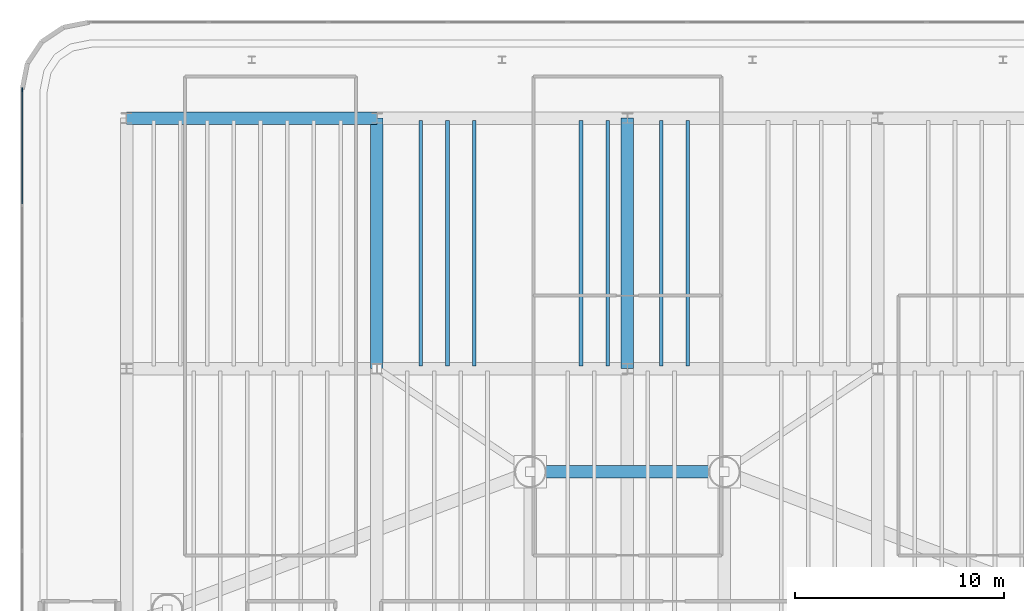
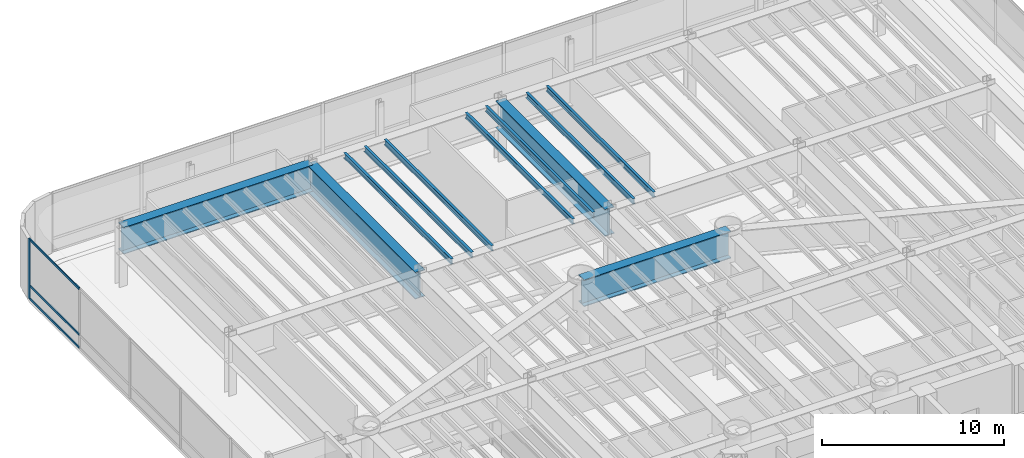
# One storey, part 8 of 18: 11 beams, 4 members, 1 element without a shape of its own.
"""IFC4 building model written with IfcOpenShell, lengths in metres."""

from ifc_helpers import new_model, si_unit, direction, frame, origin, origin_2d, place, context, subcontext, project, spatial, rectangle, i_section, extrude, source, transform, mapped, material, layer, layer_set, material_profile, profile_set, type_object, element, aggregate, save


model = new_model("IFC4")

# Units and contexts
model_context = context("Model", 3, precision=1e-05, world=origin(), true_north=direction((0.0, 1.0)))
body_context = subcontext(model_context, "Body", "Model", "MODEL_VIEW")
ifc_project = project(units=[si_unit("LENGTHUNIT", "METRE"), si_unit("AREAUNIT", "SQUARE_METRE"), si_unit("VOLUMEUNIT", "CUBIC_METRE"), si_unit("PLANEANGLEUNIT", "RADIAN"), si_unit("MASSUNIT", "GRAM", prefix="KILO")], contexts=[model_context])

# Site, building, storey
site_placement = place(None, origin())
site = spatial("IfcSite", under=ifc_project, at=site_placement, CompositionType="ELEMENT")
building_placement = place(site_placement, origin())
building = spatial("IfcBuilding", under=site, at=building_placement, Name="Brelvock Crest Care Tower", CompositionType="ELEMENT")
storey_placement = place(building_placement, frame((0.0, 0.0, 22.679931640625)))
storey = spatial("IfcBuildingStorey", under=building, at=storey_placement, Name="L05", CompositionType="ELEMENT", Elevation=22.679931640625)

# Beams
ifc_material_1 = material(Name="Steel Grade 350", Category="steel")
ifc_material_profile_1 = material_profile(ifc_material_1, i_section(OverallWidth=0.172119140625, OverallDepth=0.35888671875, WebThickness=0.008056640625, FlangeThickness=0.012939453125, FilletRadius=0.011474609375, at=origin_2d()), Name="360UB56.7")
ifc_profile_set_1 = profile_set([ifc_material_profile_1], Name="Steel Grade 350")
beam_type_1 = type_object("IfcBeamType", Name="BM-J1", PredefinedType="JOIST", material=ifc_profile_set_1)
shared_shape_1 = source(origin(), body_context, "Body", "SweptSolid", [
    extrude(i_section(OverallWidth=0.172119140625, OverallDepth=0.35888671875, WebThickness=0.008056640625, FlangeThickness=0.012939453125, FilletRadius=0.011474609375, at=origin_2d()), origin(), (0.0, 0.0, 1.0), 11.77001953125),
])
for number, where, z_axis, x_axis, name in (
    (1, (26.10009765625, 42.114990234375, 3.820556640625), (0.0, 1.0, 0.0), (-1.0, 0.0, 0.0), "BM-PODJ-L05-2610-42"),
    (2, (27.3798828125, 42.114990234375, 3.820556640625), (0.0, 1.0, 0.0), (-1.0, 0.0, 0.0), "BM-PODJ-L05-2738-42"),
    (3, (28.659912109375, 42.114990234375, 3.820556640625), (0.0, 1.0, 0.0), (-1.0, 0.0, 0.0), "BM-PODJ-L05-2866-42"),
    (4, (33.780029296875, 42.114990234375, 3.820556640625), (0.0, 1.0, 0.0), (-1.0, 0.0, 0.0), "BM-PODJ-L05-3378-42"),
    (5, (35.06005859375, 42.114990234375, 3.820556640625), (0.0, 1.0, 0.0), (-1.0, 0.0, 0.0), "BM-PODJ-L05-3506-42"),
    (6, (37.6201171875, 42.114990234375, 3.820556640625), (0.0, 1.0, 0.0), (-1.0, 0.0, 0.0), "BM-PODJ-L05-3762-42"),
    (7, (38.89990234375, 42.114990234375, 3.820556640625), (0.0, 1.0, 0.0), (-1.0, 0.0, 0.0), "BM-PODJ-L05-3890-42"),
):
    element("IfcBeam", number, at=place(storey_placement, frame(where, z_axis=z_axis, x_axis=x_axis)), inside=storey, type_object=beam_type_1, Name=name, PredefinedType="JOIST", context=body_context, shape_type="MappedRepresentation", body=[
        mapped(shared_shape_1, transform((0.0, 0.0, 0.0), x_axis=(1.0, 0.0, 0.0), y_axis=(0.0, 1.0, 0.0), z_axis=(0.0, 0.0, 1.0), scale=1.0)),
    ])
ifc_material_profile_2 = material_profile(ifc_material_1, i_section(OverallWidth=0.60009765625, OverallDepth=1.800048828125, WebThickness=0.028076171875, FlangeThickness=0.052001953125, at=origin_2d()), Name="1800TG740")
ifc_profile_set_2 = profile_set([ifc_material_profile_2], Name="Steel Grade 350")
beam_type_2 = type_object("IfcBeamType", Name="BM-TG1", PredefinedType="USERDEFINED", material=ifc_profile_set_2)
shared_shape_2 = source(origin(), body_context, "Body", "SweptSolid", [
    extrude(i_section(OverallWidth=0.60009765625, OverallDepth=1.800048828125, WebThickness=0.028076171875, FlangeThickness=0.052001953125, at=origin_2d()), origin(), (0.0, 0.0, 1.0), 12.0),
])
for number, where, z_axis, x_axis, name in (
    (8, (12.0, 54.0, 3.10009765625), (1.0, 0.0, 0.0), (0.0, 1.0, 0.0), "BM-PODX-L05-54-12"),
    (9, (24.0, 42.0, 3.10009765625), (0.0, 1.0, 0.0), (-1.0, 0.0, 0.0), "BM-PODY-L05-24-42"),
    (10, (36.0, 42.0, 3.10009765625), (0.0, 1.0, 0.0), (-1.0, 0.0, 0.0), "BM-PODY-L05-36-42"),
):
    element("IfcBeam", number, at=place(storey_placement, frame(where, z_axis=z_axis, x_axis=x_axis)), inside=storey, type_object=beam_type_2, Name=name, ObjectType="GIRDER", PredefinedType="USERDEFINED", context=body_context, shape_type="MappedRepresentation", body=[
        mapped(shared_shape_2, transform((0.0, 0.0, 0.0), x_axis=(1.0, 0.0, 0.0), y_axis=(0.0, 1.0, 0.0), z_axis=(0.0, 0.0, 1.0), scale=1.0)),
    ])
shared_shape_3 = source(origin(), body_context, "Body", "SweptSolid", [
    extrude(i_section(OverallWidth=0.60009765625, OverallDepth=1.800048828125, WebThickness=0.028076171875, FlangeThickness=0.052001953125, at=origin_2d()), origin(), (0.0, 0.0, 1.0), 9.2998046875),
])
beam_placement = place(storey_placement, frame((31.35009765625, 37.050048828125, 3.10009765625), z_axis=(1.0, 0.0, 0.0), x_axis=(0.0, 1.0, 0.0)))
element("IfcBeam", 11, at=beam_placement, inside=storey, type_object=beam_type_2, Name="BM-TWR-L05-08", ObjectType="GIRDER", PredefinedType="USERDEFINED", context=body_context, shape_type="MappedRepresentation", body=[
    mapped(shared_shape_3, transform((0.0, 0.0, 0.0), x_axis=(1.0, 0.0, 0.0), y_axis=(0.0, 1.0, 0.0), z_axis=(0.0, 0.0, 1.0), scale=1.0)),
])

# Curtain wall, members
ifc_material_2 = material(Name="Dark Glass Double Glazed Low-E", Category="glass")
ifc_layer = layer(ifc_material_2, 0.179931640625, Name="CWS-1")
ifc_layer_set = layer_set([ifc_layer], Name="Dark Glass Double Glazed Low-E")
curtain_wall_type = type_object("IfcCurtainWallType", Name="CWS-1", PredefinedType="NOTDEFINED", material=ifc_layer_set)
curtain_wall_placement = place(storey_placement, origin())
curtain_wall = element("IfcCurtainWall", 12, at=curtain_wall_placement, inside=storey, type_object=curtain_wall_type, Name="L05 Curtain Wall E04", PredefinedType="NOTDEFINED")
ifc_material_3 = material(Name="Aluminium 6063-T6", Category="aluminium")
ifc_material_profile_3 = material_profile(ifc_material_3, rectangle(XDim=0.06494140625, YDim=0.14990234375, at=origin_2d()), Name="ALU65x150")
ifc_profile_set_3 = profile_set([ifc_material_profile_3], Name="Aluminium 6063-T6")
member_type_1 = type_object("IfcMemberType", Name="CWT-1", PredefinedType="USERDEFINED", material=ifc_profile_set_3)
shared_shape_4 = source(origin(), body_context, "Body", "SweptSolid", [
    extrude(rectangle(XDim=0.06494140625, YDim=0.14990234375, at=origin_2d()), origin(), (0.0, 0.0, 1.0), 5.435791015625),
])
member_1_placement = place(storey_placement, frame((7.0, 49.899169921875, 0.032470703125), z_axis=(0.0, 1.0, 0.0), x_axis=(-1.0, 0.0, 0.0)))
member_1 = element("IfcMember", 13, at=member_1_placement, type_object=member_type_1, Name="CW-1 transom 9.1", ObjectType="TRANSOM", PredefinedType="USERDEFINED", context=body_context, shape_type="MappedRepresentation", body=[
    mapped(shared_shape_4, transform((0.0, 0.0, 0.0), x_axis=(1.0, 0.0, 0.0), y_axis=(0.0, 1.0, 0.0), z_axis=(0.0, 0.0, 1.0), scale=1.0)),
])
member_2_placement = place(storey_placement, frame((7.0, 49.899169921875, 0.900146484375), z_axis=(0.0, 1.0, 0.0), x_axis=(-1.0, 0.0, 0.0)))
member_2 = element("IfcMember", 14, at=member_2_placement, type_object=member_type_1, Name="CW-1 transom 9.2", ObjectType="TRANSOM", PredefinedType="USERDEFINED", context=body_context, shape_type="MappedRepresentation", body=[
    mapped(shared_shape_4, transform((0.0, 0.0, 0.0), x_axis=(1.0, 0.0, 0.0), y_axis=(0.0, 1.0, 0.0), z_axis=(0.0, 0.0, 1.0), scale=1.0)),
])
member_3_placement = place(storey_placement, frame((7.0, 49.899169921875, 3.967529296875), z_axis=(0.0, 1.0, 0.0), x_axis=(-1.0, 0.0, 0.0)))
member_3 = element("IfcMember", 15, at=member_3_placement, type_object=member_type_1, Name="CW-1 transom 9.3", ObjectType="TRANSOM", PredefinedType="USERDEFINED", context=body_context, shape_type="MappedRepresentation", body=[
    mapped(shared_shape_4, transform((0.0, 0.0, 0.0), x_axis=(1.0, 0.0, 0.0), y_axis=(0.0, 1.0, 0.0), z_axis=(0.0, 0.0, 1.0), scale=1.0)),
])
ifc_material_profile_4 = material_profile(ifc_material_3, rectangle(XDim=0.06494140625, YDim=0.199951171875, at=origin_2d()), Name="ALU65x200")
ifc_profile_set_4 = profile_set([ifc_material_profile_4], Name="Aluminium 6063-T6")
member_type_2 = type_object("IfcMemberType", Name="CWM-1", PredefinedType="MULLION", material=ifc_profile_set_4)
shared_shape_5 = source(origin(), body_context, "Body", "SweptSolid", [
    extrude(rectangle(XDim=0.06494140625, YDim=0.199951171875, at=origin_2d()), origin(), (0.0, 0.0, 1.0), 4.0),
])
member_4_placement = place(storey_placement, frame((7.0, 55.367431640625, 0.0), z_axis=(0.0, 0.0, 1.0), x_axis=(-1.0, 0.0, 0.0)))
member_4 = element("IfcMember", 16, at=member_4_placement, type_object=member_type_2, Name="CW-1 mullion 10", PredefinedType="MULLION", context=body_context, shape_type="MappedRepresentation", body=[
    mapped(shared_shape_5, transform((0.0, 0.0, 0.0), x_axis=(1.0, 0.0, 0.0), y_axis=(0.0, 1.0, 0.0), z_axis=(0.0, 0.0, 1.0), scale=1.0)),
])
aggregate(curtain_wall, [member_4, member_1, member_2, member_3])

save(model, "model.ifc")
